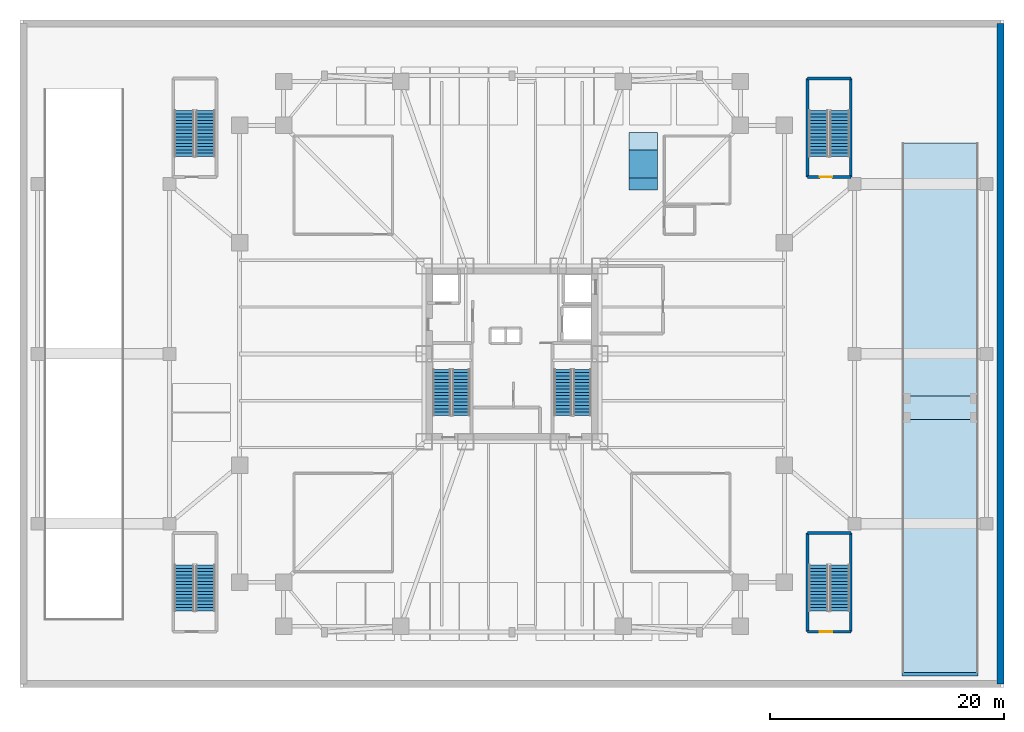
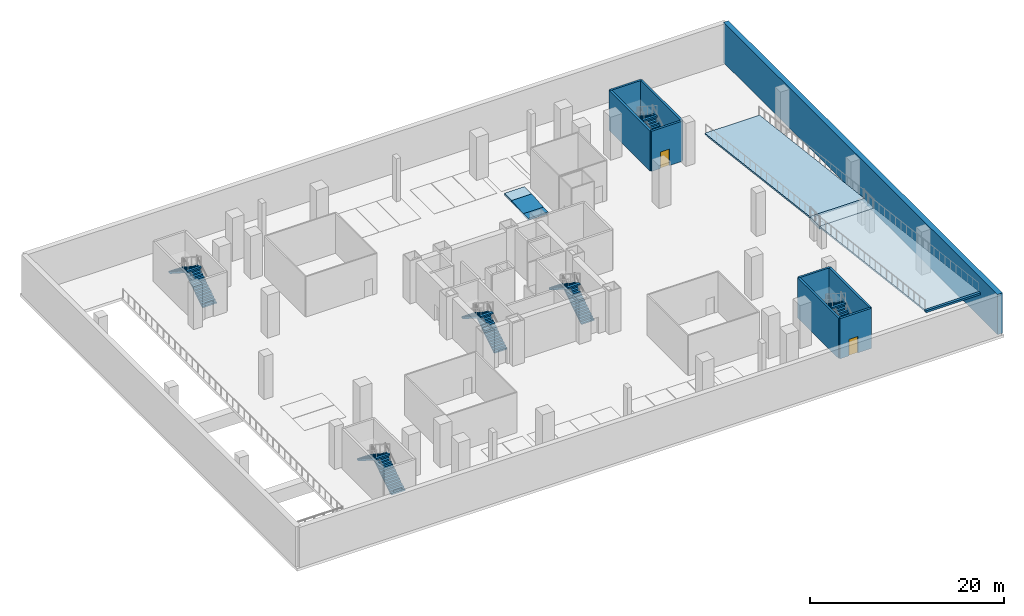
# One storey, part 7 of 14: 12 stair flights, 9 walls, 4 slabs, 2 doors, 2 ramps, 1 ramp flight, 2 openings, 6 elements without a shape of their own.
"""IFC4 building model written with IfcOpenShell, lengths in metres."""

from ifc_helpers import new_model, si_unit, direction, frame, frame_2d, origin, origin_2d, place, context, subcontext, project, spatial, polyline, rectangle, outline, extrude, material, layer, layer_set, type_object, element, fill, aggregate, save


model = new_model("IFC4")

# Units and contexts
model_context = context("Model", 3, precision=1e-05, world=origin(), true_north=direction((0.0, 1.0)))
body_context = subcontext(model_context, "Body", "Model", "MODEL_VIEW")
ifc_project = project(units=[si_unit("LENGTHUNIT", "METRE"), si_unit("AREAUNIT", "SQUARE_METRE"), si_unit("VOLUMEUNIT", "CUBIC_METRE"), si_unit("PLANEANGLEUNIT", "RADIAN"), si_unit("MASSUNIT", "GRAM", prefix="KILO")], contexts=[model_context])

# Slab
ifc_material_1 = material(Name="Concrete C40/50", Category="concrete")
ifc_layer_1 = layer(ifc_material_1, 0.300048828125, Name="Concrete C40/50")
ifc_layer_set_1 = layer_set([ifc_layer_1], Name="Concrete C40/50")
slab_type_1 = type_object("IfcSlabType", Name="SLB-RAMP-LAND", PredefinedType="LANDING", material=ifc_layer_set_1)
site_placement = place(None, origin())
building_placement = place(site_placement, origin())
storey_placement = place(building_placement, frame((0.0, 0.0, -5.39990234375)))
slab_1_placement = place(storey_placement, frame((0.0, 0.0, 2.369873046875)))
slab_1 = element("IfcSlab", 1, at=slab_1_placement, type_object=slab_type_1, Name="Car park vehicle ramp RM01 B1 intermediate landing", PredefinedType="LANDING", context=body_context, shape_type="SweptSolid", body=[
    extrude(outline(polyline([(33.300048828125, -5.60009765625), (39.800048828125, -5.60009765625), (39.800048828125, -3.60009765625), (33.300048828125, -3.60009765625), (33.300048828125, -5.60009765625)])), origin(), (0.0, 0.0, 1.0), 0.400146484375),
])

slab_2_placement = place(storey_placement, origin())
slab_2 = element("IfcSlab", 2, at=slab_2_placement, type_object=slab_type_1, Name="Accessible concourse ramp RMP-B1-PED-4 upper landing pad", PredefinedType="LANDING", context=body_context, shape_type="SweptSolid", body=[
    extrude(outline(polyline([(10.0, 17.39990234375), (12.39990234375, 17.39990234375), (12.39990234375, 18.89990234375), (10.0, 18.89990234375), (10.0, 17.39990234375)])), origin(), (0.0, 0.0, 1.0), 0.199951171875),
])

ifc_layer_2 = layer(ifc_material_1, 0.199951171875, Name="Concrete C40/50")
ifc_layer_set_2 = layer_set([ifc_layer_2], Name="Concrete C40/50")
slab_type_2 = type_object("IfcSlabType", Name="SLB-VEH-RAMP", PredefinedType="FLOOR", material=ifc_layer_set_2)
slab_3_placement = place(storey_placement, frame((39.800048828125, 18.0, 0.139892578125), z_axis=(0.0, 0.120871823233, 0.992668122964), x_axis=(-1.0, 0.0, 0.0)))
slab_3 = element("IfcSlab", 3, at=slab_3_placement, type_object=slab_type_2, Name="Car park vehicle ramp RM01 B1 lower structural slab (1:8.2)", PredefinedType="FLOOR", context=body_context, shape_type="SweptSolid", body=[
    extrude(outline(polyline([(0.0, 0.0), (6.5, 0.0), (6.5, 21.759636636421376), (0.0, 21.759636636421376), (0.0, 0.0)])), origin(), (0.0, 0.0, -1.0), 0.199951171875),
])

slab_4_placement = place(storey_placement, frame((39.800048828125, -5.60009765625, 2.77001953125), z_axis=(0.0, 0.120862113368, 0.992669305233), x_axis=(-1.0, 0.0, 0.0)))
slab_4 = element("IfcSlab", 4, at=slab_4_placement, type_object=slab_type_2, Name="Car park vehicle ramp RM01 B1 upper structural slab arriving L00 gate VG01 (1:8.2)", PredefinedType="FLOOR", context=body_context, shape_type="SweptSolid", body=[
    extrude(outline(polyline([(0.0, 0.0), (6.5, 0.0), (6.5, 21.759364777123906), (0.0, 21.759364777123906), (0.0, 0.0)])), origin(), (0.0, 0.0, -1.0), 0.199951171875),
])

# Site, building, storey
site = spatial("IfcSite", under=ifc_project, at=site_placement, CompositionType="ELEMENT")
building = spatial("IfcBuilding", under=site, at=building_placement, Name="Trevonay Congress Spire", CompositionType="ELEMENT")
storey = spatial("IfcBuildingStorey", under=building, at=storey_placement, Name="B1", CompositionType="ELEMENT", Elevation=-5.39990234375)

# Wall
ifc_material_2 = material(Name="Concrete C50/60", Category="concrete")
ifc_layer_3 = layer(ifc_material_2, 0.60009765625, Name="Concrete C50/60")
ifc_layer_set_3 = layer_set([ifc_layer_3], Name="Concrete C50/60")
wall_type_1 = type_object("IfcWallType", Name="WAL-RETAIN-600", PredefinedType="USERDEFINED", material=ifc_layer_set_3)
wall_1_placement = place(storey_placement, frame((41.699951171875, -28.199951171875, 0.0), z_axis=(0.0, 0.0, 1.0), x_axis=(0.0, 1.0, 0.0)))
element("IfcWall", 5, at=wall_1_placement, inside=storey, type_object=wall_type_1, Name="B1 E perimeter concrete diaphragm retaining wall", ObjectType="RETAININGWALL", PredefinedType="USERDEFINED", context=body_context, shape_type="SweptSolid", body=[
    extrude(rectangle(XDim=56.39990234375, YDim=0.60009765625, at=frame_2d((28.199951171875, 0.0))), origin(), (0.0, 0.0, 1.0), 5.0498046875),
])

# Wall, opening, door
ifc_layer_4 = layer(ifc_material_1, 0.25, Name="Concrete C40/50")
ifc_layer_set_4 = layer_set([ifc_layer_4], Name="Concrete C40/50")
wall_type_2 = type_object("IfcWallType", Name="WAL-SHAFT-LB-250", PredefinedType="SHEAR", material=ifc_layer_set_4)
wall_2_placement = place(storey_placement, frame((25.22998046875, -23.719970703125, 0.0), z_axis=(0.0, 0.0, 1.0), x_axis=(1.0, 0.0, 0.0)))
wall_2 = element("IfcWall", 6, at=wall_2_placement, inside=storey, type_object=wall_type_2, Name="B1 interior shaft wall WSH-B1-ST-4-S", PredefinedType="SHEAR", context=body_context, shape_type="SweptSolid", body=[
    extrude(rectangle(XDim=3.68994140625, YDim=0.25, at=frame_2d((1.844970703125, 0.0))), origin(), (0.0, 0.0, 1.0), 5.0498046875),
])
opening_1_placement = place(wall_2_placement, frame((1.050048828125, 0.0, 0.0)))
opening_1 = element("IfcOpeningElement", 7, at=opening_1_placement, cuts=wall_2, Name="Opening D05", PredefinedType="OPENING", context=body_context, shape_type="SweptSolid", body=[
    extrude(rectangle(XDim=1.050048828125, YDim=2.080078125, at=frame_2d((0.52490234375, 1.0400390625))), frame((0.0, 0.135009765625, 0.0), z_axis=(0.0, -1.0, 0.0), x_axis=(1.0, 0.0, 0.0)), (0.0, 0.0, 1.0), 0.27001953125),
])
ifc_material_3 = material(Name="Steel ASTM A572 Grade 50", Category="steel")
door_type = type_object("IfcDoorType", Name="DOR-STAIR-110", OperationType="NOTDEFINED", PredefinedType="DOOR", material=ifc_material_3)
door_1_placement = place(opening_1_placement, origin())
door_1 = element("IfcDoor", 8, at=door_1_placement, inside=storey, type_object=door_type, Name="B1 Escape Stair ST-4 Door", OperationType="SINGLE_SWING_LEFT", OverallHeight=2.080078125, OverallWidth=1.050048828125, PredefinedType="DOOR", context=body_context, shape_type="SweptSolid", body=[
    extrude(rectangle(XDim=1.050048828125, YDim=2.080078125, at=frame_2d((0.52490234375, 1.0400390625))), frame((0.0, 0.02490234375, 0.0), z_axis=(0.0, -1.0, 0.0), x_axis=(1.0, 0.0, 0.0)), (0.0, 0.0, 1.0), 0.050048828125),
])
fill(opening_1, door_1)

# Walls
wall_3_placement = place(storey_placement, frame((25.22998046875, -15.280029296875, 0.0), z_axis=(0.0, 0.0, 1.0), x_axis=(1.0, 0.0, 0.0)))
element("IfcWall", 9, at=wall_3_placement, inside=storey, type_object=wall_type_2, Name="B1 interior shaft wall WSH-B1-ST-4-N", PredefinedType="SHEAR", context=body_context, shape_type="SweptSolid", body=[
    extrude(rectangle(XDim=3.68994140625, YDim=0.25, at=frame_2d((1.844970703125, 0.0))), origin(), (0.0, 0.0, 1.0), 5.0498046875),
])
for number, where, z_axis, x_axis, name in (
    (10, (25.22998046875, -23.719970703125, 0.0), (0.0, 0.0, 1.0), (0.0, 1.0, 0.0), "B1 interior shaft wall WSH-B1-ST-4-W"),
    (11, (28.919921875, -23.719970703125, 0.0), (0.0, 0.0, 1.0), (0.0, 1.0, 0.0), "B1 interior shaft wall WSH-B1-ST-4-E"),
):
    element("IfcWall", number, at=place(storey_placement, frame(where, z_axis=z_axis, x_axis=x_axis)), inside=storey, type_object=wall_type_2, Name=name, PredefinedType="SHEAR", context=body_context, shape_type="SweptSolid", body=[
        extrude(rectangle(XDim=8.43994140625, YDim=0.25, at=frame_2d((4.219970703125, 0.0))), origin(), (0.0, 0.0, 1.0), 5.0498046875),
    ])

# Wall, opening, door
wall_4_placement = place(storey_placement, frame((25.22998046875, 15.080078125, 0.0), z_axis=(0.0, 0.0, 1.0), x_axis=(1.0, 0.0, 0.0)))
wall_4 = element("IfcWall", 12, at=wall_4_placement, inside=storey, type_object=wall_type_2, Name="B1 interior shaft wall WSH-B1-ST-6-S", PredefinedType="SHEAR", context=body_context, shape_type="SweptSolid", body=[
    extrude(rectangle(XDim=3.68994140625, YDim=0.25, at=frame_2d((1.844970703125, 0.0))), origin(), (0.0, 0.0, 1.0), 5.0498046875),
])
opening_2_placement = place(wall_4_placement, frame((1.050048828125, 0.0, 0.0)))
opening_2 = element("IfcOpeningElement", 13, at=opening_2_placement, cuts=wall_4, Name="Opening D05", PredefinedType="OPENING", context=body_context, shape_type="SweptSolid", body=[
    extrude(rectangle(XDim=1.050048828125, YDim=2.080078125, at=frame_2d((0.52490234375, 1.0400390625))), frame((0.0, 0.135009765625, 0.0), z_axis=(0.0, -1.0, 0.0), x_axis=(1.0, 0.0, 0.0)), (0.0, 0.0, 1.0), 0.27001953125),
])
door_2_placement = place(opening_2_placement, origin())
door_2 = element("IfcDoor", 14, at=door_2_placement, inside=storey, type_object=door_type, Name="B1 Escape Stair ST-6 Door", OperationType="SINGLE_SWING_LEFT", OverallHeight=2.080078125, OverallWidth=1.050048828125, PredefinedType="DOOR", context=body_context, shape_type="SweptSolid", body=[
    extrude(rectangle(XDim=1.050048828125, YDim=2.080078125, at=frame_2d((0.52490234375, 1.0400390625))), frame((0.0, 0.02490234375, 0.0), z_axis=(0.0, -1.0, 0.0), x_axis=(1.0, 0.0, 0.0)), (0.0, 0.0, 1.0), 0.050048828125),
])
fill(opening_2, door_2)

# Walls
wall_5_placement = place(storey_placement, frame((25.22998046875, 23.52001953125, 0.0), z_axis=(0.0, 0.0, 1.0), x_axis=(1.0, 0.0, 0.0)))
element("IfcWall", 15, at=wall_5_placement, inside=storey, type_object=wall_type_2, Name="B1 interior shaft wall WSH-B1-ST-6-N", PredefinedType="SHEAR", context=body_context, shape_type="SweptSolid", body=[
    extrude(rectangle(XDim=3.68994140625, YDim=0.25, at=frame_2d((1.844970703125, 0.0))), origin(), (0.0, 0.0, 1.0), 5.0498046875),
])
for number, where, z_axis, x_axis, name in (
    (16, (25.22998046875, 15.080078125, 0.0), (0.0, 0.0, 1.0), (0.0, 1.0, 0.0), "B1 interior shaft wall WSH-B1-ST-6-W"),
    (17, (28.919921875, 15.080078125, 0.0), (0.0, 0.0, 1.0), (0.0, 1.0, 0.0), "B1 interior shaft wall WSH-B1-ST-6-E"),
):
    element("IfcWall", number, at=place(storey_placement, frame(where, z_axis=z_axis, x_axis=x_axis)), inside=storey, type_object=wall_type_2, Name=name, PredefinedType="SHEAR", context=body_context, shape_type="SweptSolid", body=[
        extrude(rectangle(XDim=8.43994140625, YDim=0.25, at=frame_2d((4.219970703125, 0.0))), origin(), (0.0, 0.0, 1.0), 5.0498046875),
    ])

# Stair, stair flights
stair_type_1 = type_object("IfcStairType", Name="STR-ST-1", PredefinedType="HALF_TURN_STAIR", material=ifc_material_1)
stair_1_placement = place(storey_placement, origin())
stair_1 = element("IfcStair", 18, at=stair_1_placement, inside=storey, type_object=stair_type_1, Name="B1 Protected Exit Stair ST-1", PredefinedType="HALF_TURN_STAIR")
stair_flight_type_1 = type_object("IfcStairFlightType", Name="SFL-ST-1", PredefinedType="STRAIGHT", material=ifc_material_1)
stair_flight_1_placement = place(storey_placement, frame((-4.35009765625, -5.25, 0.0), z_axis=(0.0, 0.0, 1.0), x_axis=(0.0, 1.0, 0.0)))
stair_flight_1 = element("IfcStairFlight", 19, at=stair_flight_1_placement, type_object=stair_flight_type_1, Name="ST-1 flight 1", NumberOfRisers=15, NumberOfTreads=14, PredefinedType="STRAIGHT", RiserHeight=0.18, TreadLength=0.28, context=body_context, shape_type="SweptSolid", body=[
    extrude(outline(polyline([(0.0, 0.0), (0.0, 0.179931640625), (0.280029296875, 0.179931640625), (0.280029296875, 0.360107421875), (0.56005859375, 0.360107421875), (0.56005859375, 0.5400390625), (0.840087890625, 0.5400390625), (0.840087890625, 0.719970703125), (1.1201171875, 0.719970703125), (1.1201171875, 0.89990234375), (1.39990234375, 0.89990234375), (1.39990234375, 1.080078125), (1.679931640625, 1.080078125), (1.679931640625, 1.260009765625), (1.9599609375, 1.260009765625), (1.9599609375, 1.43994140625), (2.239990234375, 1.43994140625), (2.239990234375, 1.6201171875), (2.52001953125, 1.6201171875), (2.52001953125, 1.800048828125), (2.800048828125, 1.800048828125), (2.800048828125, 1.97998046875), (3.080078125, 1.97998046875), (3.080078125, 2.159912109375), (3.360107421875, 2.159912109375), (3.360107421875, 2.340087890625), (3.639892578125, 2.340087890625), (3.639892578125, 2.52001953125), (3.919921875, 2.52001953125), (3.919921875, 2.699951171875), (3.919921875, 2.341796875), (0.277099609375, 0.0), (0.0, 0.0)])), frame((0.0, 0.75, 0.0), z_axis=(0.0, -1.0, 0.0), x_axis=(1.0, 0.0, 0.0)), (0.0, 0.0, 1.0), 1.5),
])
stair_flight_2_placement = place(storey_placement, frame((-6.0, -1.330078125, 2.699951171875), z_axis=(0.0, 0.0, 1.0), x_axis=(0.0, -1.0, 0.0)))
stair_flight_2 = element("IfcStairFlight", 20, at=stair_flight_2_placement, type_object=stair_flight_type_1, Name="ST-1 flight 2", NumberOfRisers=15, NumberOfTreads=14, PredefinedType="STRAIGHT", RiserHeight=0.18, TreadLength=0.28, context=body_context, shape_type="SweptSolid", body=[
    extrude(outline(polyline([(0.0, 0.0), (0.0, 0.179931640625), (0.280029296875, 0.179931640625), (0.280029296875, 0.360107421875), (0.56005859375, 0.360107421875), (0.56005859375, 0.5400390625), (0.840087890625, 0.5400390625), (0.840087890625, 0.719970703125), (1.1201171875, 0.719970703125), (1.1201171875, 0.89990234375), (1.39990234375, 0.89990234375), (1.39990234375, 1.080078125), (1.679931640625, 1.080078125), (1.679931640625, 1.260009765625), (1.9599609375, 1.260009765625), (1.9599609375, 1.43994140625), (2.239990234375, 1.43994140625), (2.239990234375, 1.6201171875), (2.52001953125, 1.6201171875), (2.52001953125, 1.800048828125), (2.800048828125, 1.800048828125), (2.800048828125, 1.97998046875), (3.080078125, 1.97998046875), (3.080078125, 2.159912109375), (3.360107421875, 2.159912109375), (3.360107421875, 2.340087890625), (3.639892578125, 2.340087890625), (3.639892578125, 2.52001953125), (3.919921875, 2.52001953125), (3.919921875, 2.699951171875), (3.919921875, 2.341796875), (0.277099609375, 0.0), (0.0, 0.0)])), frame((0.0, 0.75, 0.0), z_axis=(0.0, -1.0, 0.0), x_axis=(1.0, 0.0, 0.0)), (0.0, 0.0, 1.0), 1.5),
])
aggregate(stair_1, [stair_flight_1, stair_flight_2])

stair_type_2 = type_object("IfcStairType", Name="STR-ST-2", PredefinedType="HALF_TURN_STAIR", material=ifc_material_1)
stair_2_placement = place(storey_placement, origin())
stair_2 = element("IfcStair", 21, at=stair_2_placement, inside=storey, type_object=stair_type_2, Name="B1 Protected Exit Stair ST-2", PredefinedType="HALF_TURN_STAIR")
stair_flight_type_2 = type_object("IfcStairFlightType", Name="SFL-ST-2", PredefinedType="STRAIGHT", material=ifc_material_1)
stair_flight_3_placement = place(storey_placement, frame((6.0, -5.25, 0.0), z_axis=(0.0, 0.0, 1.0), x_axis=(0.0, 1.0, 0.0)))
stair_flight_3 = element("IfcStairFlight", 22, at=stair_flight_3_placement, type_object=stair_flight_type_2, Name="ST-2 flight 1", NumberOfRisers=15, NumberOfTreads=14, PredefinedType="STRAIGHT", RiserHeight=0.18, TreadLength=0.28, context=body_context, shape_type="SweptSolid", body=[
    extrude(outline(polyline([(0.0, 0.0), (0.0, 0.179931640625), (0.280029296875, 0.179931640625), (0.280029296875, 0.360107421875), (0.56005859375, 0.360107421875), (0.56005859375, 0.5400390625), (0.840087890625, 0.5400390625), (0.840087890625, 0.719970703125), (1.1201171875, 0.719970703125), (1.1201171875, 0.89990234375), (1.39990234375, 0.89990234375), (1.39990234375, 1.080078125), (1.679931640625, 1.080078125), (1.679931640625, 1.260009765625), (1.9599609375, 1.260009765625), (1.9599609375, 1.43994140625), (2.239990234375, 1.43994140625), (2.239990234375, 1.6201171875), (2.52001953125, 1.6201171875), (2.52001953125, 1.800048828125), (2.800048828125, 1.800048828125), (2.800048828125, 1.97998046875), (3.080078125, 1.97998046875), (3.080078125, 2.159912109375), (3.360107421875, 2.159912109375), (3.360107421875, 2.340087890625), (3.639892578125, 2.340087890625), (3.639892578125, 2.52001953125), (3.919921875, 2.52001953125), (3.919921875, 2.699951171875), (3.919921875, 2.341796875), (0.277099609375, 0.0), (0.0, 0.0)])), frame((0.0, 0.75, 0.0), z_axis=(0.0, -1.0, 0.0), x_axis=(1.0, 0.0, 0.0)), (0.0, 0.0, 1.0), 1.5),
])
stair_flight_4_placement = place(storey_placement, frame((4.35009765625, -1.330078125, 2.699951171875), z_axis=(0.0, 0.0, 1.0), x_axis=(0.0, -1.0, 0.0)))
stair_flight_4 = element("IfcStairFlight", 23, at=stair_flight_4_placement, type_object=stair_flight_type_2, Name="ST-2 flight 2", NumberOfRisers=15, NumberOfTreads=14, PredefinedType="STRAIGHT", RiserHeight=0.18, TreadLength=0.28, context=body_context, shape_type="SweptSolid", body=[
    extrude(outline(polyline([(0.0, 0.0), (0.0, 0.179931640625), (0.280029296875, 0.179931640625), (0.280029296875, 0.360107421875), (0.56005859375, 0.360107421875), (0.56005859375, 0.5400390625), (0.840087890625, 0.5400390625), (0.840087890625, 0.719970703125), (1.1201171875, 0.719970703125), (1.1201171875, 0.89990234375), (1.39990234375, 0.89990234375), (1.39990234375, 1.080078125), (1.679931640625, 1.080078125), (1.679931640625, 1.260009765625), (1.9599609375, 1.260009765625), (1.9599609375, 1.43994140625), (2.239990234375, 1.43994140625), (2.239990234375, 1.6201171875), (2.52001953125, 1.6201171875), (2.52001953125, 1.800048828125), (2.800048828125, 1.800048828125), (2.800048828125, 1.97998046875), (3.080078125, 1.97998046875), (3.080078125, 2.159912109375), (3.360107421875, 2.159912109375), (3.360107421875, 2.340087890625), (3.639892578125, 2.340087890625), (3.639892578125, 2.52001953125), (3.919921875, 2.52001953125), (3.919921875, 2.699951171875), (3.919921875, 2.341796875), (0.277099609375, 0.0), (0.0, 0.0)])), frame((0.0, 0.75, 0.0), z_axis=(0.0, -1.0, 0.0), x_axis=(1.0, 0.0, 0.0)), (0.0, 0.0, 1.0), 1.5),
])
aggregate(stair_2, [stair_flight_3, stair_flight_4])

stair_type_3 = type_object("IfcStairType", Name="STR-ST-3", PredefinedType="HALF_TURN_STAIR", material=ifc_material_1)
stair_3_placement = place(storey_placement, origin())
stair_3 = element("IfcStair", 24, at=stair_3_placement, inside=storey, type_object=stair_type_3, Name="B1 Protected Exit Stair ST-3", PredefinedType="HALF_TURN_STAIR")
stair_flight_type_3 = type_object("IfcStairFlightType", Name="SFL-ST-3", PredefinedType="STRAIGHT", material=ifc_material_1)
stair_flight_5_placement = place(storey_placement, frame((-26.175048828125, -21.949951171875, 0.0), z_axis=(0.0, 0.0, 1.0), x_axis=(0.0, 1.0, 0.0)))
stair_flight_5 = element("IfcStairFlight", 25, at=stair_flight_5_placement, type_object=stair_flight_type_3, Name="ST-3 flight 1", NumberOfRisers=15, NumberOfTreads=14, PredefinedType="STRAIGHT", RiserHeight=0.18, TreadLength=0.28, context=body_context, shape_type="SweptSolid", body=[
    extrude(outline(polyline([(0.0, 0.0), (0.0, 0.179931640625), (0.280029296875, 0.179931640625), (0.280029296875, 0.360107421875), (0.56005859375, 0.360107421875), (0.56005859375, 0.5400390625), (0.840087890625, 0.5400390625), (0.840087890625, 0.719970703125), (1.1201171875, 0.719970703125), (1.1201171875, 0.89990234375), (1.39990234375, 0.89990234375), (1.39990234375, 1.080078125), (1.679931640625, 1.080078125), (1.679931640625, 1.260009765625), (1.9599609375, 1.260009765625), (1.9599609375, 1.43994140625), (2.239990234375, 1.43994140625), (2.239990234375, 1.6201171875), (2.52001953125, 1.6201171875), (2.52001953125, 1.800048828125), (2.800048828125, 1.800048828125), (2.800048828125, 1.97998046875), (3.080078125, 1.97998046875), (3.080078125, 2.159912109375), (3.360107421875, 2.159912109375), (3.360107421875, 2.340087890625), (3.639892578125, 2.340087890625), (3.639892578125, 2.52001953125), (3.919921875, 2.52001953125), (3.919921875, 2.699951171875), (3.919921875, 2.341796875), (0.277099609375, 0.0), (0.0, 0.0)])), frame((0.0, 0.824951171875, 0.0), z_axis=(0.0, -1.0, 0.0), x_axis=(1.0, 0.0, 0.0)), (0.0, 0.0, 1.0), 1.64990234375),
])
stair_flight_6_placement = place(storey_placement, frame((-27.97509765625, -18.030029296875, 2.699951171875), z_axis=(0.0, 0.0, 1.0), x_axis=(0.0, -1.0, 0.0)))
stair_flight_6 = element("IfcStairFlight", 26, at=stair_flight_6_placement, type_object=stair_flight_type_3, Name="ST-3 flight 2", NumberOfRisers=15, NumberOfTreads=14, PredefinedType="STRAIGHT", RiserHeight=0.18, TreadLength=0.28, context=body_context, shape_type="SweptSolid", body=[
    extrude(outline(polyline([(0.0, 0.0), (0.0, 0.179931640625), (0.280029296875, 0.179931640625), (0.280029296875, 0.360107421875), (0.56005859375, 0.360107421875), (0.56005859375, 0.5400390625), (0.840087890625, 0.5400390625), (0.840087890625, 0.719970703125), (1.1201171875, 0.719970703125), (1.1201171875, 0.89990234375), (1.39990234375, 0.89990234375), (1.39990234375, 1.080078125), (1.679931640625, 1.080078125), (1.679931640625, 1.260009765625), (1.9599609375, 1.260009765625), (1.9599609375, 1.43994140625), (2.239990234375, 1.43994140625), (2.239990234375, 1.6201171875), (2.52001953125, 1.6201171875), (2.52001953125, 1.800048828125), (2.800048828125, 1.800048828125), (2.800048828125, 1.97998046875), (3.080078125, 1.97998046875), (3.080078125, 2.159912109375), (3.360107421875, 2.159912109375), (3.360107421875, 2.340087890625), (3.639892578125, 2.340087890625), (3.639892578125, 2.52001953125), (3.919921875, 2.52001953125), (3.919921875, 2.699951171875), (3.919921875, 2.341796875), (0.277099609375, 0.0), (0.0, 0.0)])), frame((0.0, 0.824951171875, 0.0), z_axis=(0.0, -1.0, 0.0), x_axis=(1.0, 0.0, 0.0)), (0.0, 0.0, 1.0), 1.64990234375),
])
aggregate(stair_3, [stair_flight_5, stair_flight_6])

stair_type_4 = type_object("IfcStairType", Name="STR-ST-4", PredefinedType="HALF_TURN_STAIR", material=ifc_material_1)
stair_4_placement = place(storey_placement, origin())
stair_4 = element("IfcStair", 27, at=stair_4_placement, inside=storey, type_object=stair_type_4, Name="B1 Protected Exit Stair ST-4", PredefinedType="HALF_TURN_STAIR")
stair_flight_type_4 = type_object("IfcStairFlightType", Name="SFL-ST-4", PredefinedType="STRAIGHT", material=ifc_material_1)
stair_flight_7_placement = place(storey_placement, frame((27.97509765625, -21.949951171875, 0.0), z_axis=(0.0, 0.0, 1.0), x_axis=(0.0, 1.0, 0.0)))
stair_flight_7 = element("IfcStairFlight", 28, at=stair_flight_7_placement, type_object=stair_flight_type_4, Name="ST-4 flight 1", NumberOfRisers=15, NumberOfTreads=14, PredefinedType="STRAIGHT", RiserHeight=0.18, TreadLength=0.28, context=body_context, shape_type="SweptSolid", body=[
    extrude(outline(polyline([(0.0, 0.0), (0.0, 0.179931640625), (0.280029296875, 0.179931640625), (0.280029296875, 0.360107421875), (0.56005859375, 0.360107421875), (0.56005859375, 0.5400390625), (0.840087890625, 0.5400390625), (0.840087890625, 0.719970703125), (1.1201171875, 0.719970703125), (1.1201171875, 0.89990234375), (1.39990234375, 0.89990234375), (1.39990234375, 1.080078125), (1.679931640625, 1.080078125), (1.679931640625, 1.260009765625), (1.9599609375, 1.260009765625), (1.9599609375, 1.43994140625), (2.239990234375, 1.43994140625), (2.239990234375, 1.6201171875), (2.52001953125, 1.6201171875), (2.52001953125, 1.800048828125), (2.800048828125, 1.800048828125), (2.800048828125, 1.97998046875), (3.080078125, 1.97998046875), (3.080078125, 2.159912109375), (3.360107421875, 2.159912109375), (3.360107421875, 2.340087890625), (3.639892578125, 2.340087890625), (3.639892578125, 2.52001953125), (3.919921875, 2.52001953125), (3.919921875, 2.699951171875), (3.919921875, 2.341796875), (0.277099609375, 0.0), (0.0, 0.0)])), frame((0.0, 0.824951171875, 0.0), z_axis=(0.0, -1.0, 0.0), x_axis=(1.0, 0.0, 0.0)), (0.0, 0.0, 1.0), 1.64990234375),
])
stair_flight_8_placement = place(storey_placement, frame((26.175048828125, -18.030029296875, 2.699951171875), z_axis=(0.0, 0.0, 1.0), x_axis=(0.0, -1.0, 0.0)))
stair_flight_8 = element("IfcStairFlight", 29, at=stair_flight_8_placement, type_object=stair_flight_type_4, Name="ST-4 flight 2", NumberOfRisers=15, NumberOfTreads=14, PredefinedType="STRAIGHT", RiserHeight=0.18, TreadLength=0.28, context=body_context, shape_type="SweptSolid", body=[
    extrude(outline(polyline([(0.0, 0.0), (0.0, 0.179931640625), (0.280029296875, 0.179931640625), (0.280029296875, 0.360107421875), (0.56005859375, 0.360107421875), (0.56005859375, 0.5400390625), (0.840087890625, 0.5400390625), (0.840087890625, 0.719970703125), (1.1201171875, 0.719970703125), (1.1201171875, 0.89990234375), (1.39990234375, 0.89990234375), (1.39990234375, 1.080078125), (1.679931640625, 1.080078125), (1.679931640625, 1.260009765625), (1.9599609375, 1.260009765625), (1.9599609375, 1.43994140625), (2.239990234375, 1.43994140625), (2.239990234375, 1.6201171875), (2.52001953125, 1.6201171875), (2.52001953125, 1.800048828125), (2.800048828125, 1.800048828125), (2.800048828125, 1.97998046875), (3.080078125, 1.97998046875), (3.080078125, 2.159912109375), (3.360107421875, 2.159912109375), (3.360107421875, 2.340087890625), (3.639892578125, 2.340087890625), (3.639892578125, 2.52001953125), (3.919921875, 2.52001953125), (3.919921875, 2.699951171875), (3.919921875, 2.341796875), (0.277099609375, 0.0), (0.0, 0.0)])), frame((0.0, 0.824951171875, 0.0), z_axis=(0.0, -1.0, 0.0), x_axis=(1.0, 0.0, 0.0)), (0.0, 0.0, 1.0), 1.64990234375),
])
aggregate(stair_4, [stair_flight_7, stair_flight_8])

stair_type_5 = type_object("IfcStairType", Name="STR-ST-5", PredefinedType="HALF_TURN_STAIR", material=ifc_material_1)
stair_5_placement = place(storey_placement, origin())
stair_5 = element("IfcStair", 30, at=stair_5_placement, inside=storey, type_object=stair_type_5, Name="B1 Protected Exit Stair ST-5", PredefinedType="HALF_TURN_STAIR")
stair_flight_type_5 = type_object("IfcStairFlightType", Name="SFL-ST-5", PredefinedType="STRAIGHT", material=ifc_material_1)
stair_flight_9_placement = place(storey_placement, frame((-26.175048828125, 16.85009765625, 0.0), z_axis=(0.0, 0.0, 1.0), x_axis=(0.0, 1.0, 0.0)))
stair_flight_9 = element("IfcStairFlight", 31, at=stair_flight_9_placement, type_object=stair_flight_type_5, Name="ST-5 flight 1", NumberOfRisers=15, NumberOfTreads=14, PredefinedType="STRAIGHT", RiserHeight=0.18, TreadLength=0.28, context=body_context, shape_type="SweptSolid", body=[
    extrude(outline(polyline([(0.0, 0.0), (0.0, 0.179931640625), (0.280029296875, 0.179931640625), (0.280029296875, 0.360107421875), (0.56005859375, 0.360107421875), (0.56005859375, 0.5400390625), (0.840087890625, 0.5400390625), (0.840087890625, 0.719970703125), (1.1201171875, 0.719970703125), (1.1201171875, 0.89990234375), (1.39990234375, 0.89990234375), (1.39990234375, 1.080078125), (1.679931640625, 1.080078125), (1.679931640625, 1.260009765625), (1.9599609375, 1.260009765625), (1.9599609375, 1.43994140625), (2.239990234375, 1.43994140625), (2.239990234375, 1.6201171875), (2.52001953125, 1.6201171875), (2.52001953125, 1.800048828125), (2.800048828125, 1.800048828125), (2.800048828125, 1.97998046875), (3.080078125, 1.97998046875), (3.080078125, 2.159912109375), (3.360107421875, 2.159912109375), (3.360107421875, 2.340087890625), (3.639892578125, 2.340087890625), (3.639892578125, 2.52001953125), (3.919921875, 2.52001953125), (3.919921875, 2.699951171875), (3.919921875, 2.341796875), (0.277099609375, 0.0), (0.0, 0.0)])), frame((0.0, 0.824951171875, 0.0), z_axis=(0.0, -1.0, 0.0), x_axis=(1.0, 0.0, 0.0)), (0.0, 0.0, 1.0), 1.64990234375),
])
stair_flight_10_placement = place(storey_placement, frame((-27.97509765625, 20.77001953125, 2.699951171875), z_axis=(0.0, 0.0, 1.0), x_axis=(0.0, -1.0, 0.0)))
stair_flight_10 = element("IfcStairFlight", 32, at=stair_flight_10_placement, type_object=stair_flight_type_5, Name="ST-5 flight 2", NumberOfRisers=15, NumberOfTreads=14, PredefinedType="STRAIGHT", RiserHeight=0.18, TreadLength=0.28, context=body_context, shape_type="SweptSolid", body=[
    extrude(outline(polyline([(0.0, 0.0), (0.0, 0.179931640625), (0.280029296875, 0.179931640625), (0.280029296875, 0.360107421875), (0.56005859375, 0.360107421875), (0.56005859375, 0.5400390625), (0.840087890625, 0.5400390625), (0.840087890625, 0.719970703125), (1.1201171875, 0.719970703125), (1.1201171875, 0.89990234375), (1.39990234375, 0.89990234375), (1.39990234375, 1.080078125), (1.679931640625, 1.080078125), (1.679931640625, 1.260009765625), (1.9599609375, 1.260009765625), (1.9599609375, 1.43994140625), (2.239990234375, 1.43994140625), (2.239990234375, 1.6201171875), (2.52001953125, 1.6201171875), (2.52001953125, 1.800048828125), (2.800048828125, 1.800048828125), (2.800048828125, 1.97998046875), (3.080078125, 1.97998046875), (3.080078125, 2.159912109375), (3.360107421875, 2.159912109375), (3.360107421875, 2.340087890625), (3.639892578125, 2.340087890625), (3.639892578125, 2.52001953125), (3.919921875, 2.52001953125), (3.919921875, 2.699951171875), (3.919921875, 2.341796875), (0.277099609375, 0.0), (0.0, 0.0)])), frame((0.0, 0.824951171875, 0.0), z_axis=(0.0, -1.0, 0.0), x_axis=(1.0, 0.0, 0.0)), (0.0, 0.0, 1.0), 1.64990234375),
])
aggregate(stair_5, [stair_flight_9, stair_flight_10])

stair_type_6 = type_object("IfcStairType", Name="STR-ST-6", PredefinedType="HALF_TURN_STAIR", material=ifc_material_1)
stair_6_placement = place(storey_placement, origin())
stair_6 = element("IfcStair", 33, at=stair_6_placement, inside=storey, type_object=stair_type_6, Name="B1 Protected Exit Stair ST-6", PredefinedType="HALF_TURN_STAIR")
stair_flight_type_6 = type_object("IfcStairFlightType", Name="SFL-ST-6", PredefinedType="STRAIGHT", material=ifc_material_1)
stair_flight_11_placement = place(storey_placement, frame((27.97509765625, 16.85009765625, 0.0), z_axis=(0.0, 0.0, 1.0), x_axis=(0.0, 1.0, 0.0)))
stair_flight_11 = element("IfcStairFlight", 34, at=stair_flight_11_placement, type_object=stair_flight_type_6, Name="ST-6 flight 1", NumberOfRisers=15, NumberOfTreads=14, PredefinedType="STRAIGHT", RiserHeight=0.18, TreadLength=0.28, context=body_context, shape_type="SweptSolid", body=[
    extrude(outline(polyline([(0.0, 0.0), (0.0, 0.179931640625), (0.280029296875, 0.179931640625), (0.280029296875, 0.360107421875), (0.56005859375, 0.360107421875), (0.56005859375, 0.5400390625), (0.840087890625, 0.5400390625), (0.840087890625, 0.719970703125), (1.1201171875, 0.719970703125), (1.1201171875, 0.89990234375), (1.39990234375, 0.89990234375), (1.39990234375, 1.080078125), (1.679931640625, 1.080078125), (1.679931640625, 1.260009765625), (1.9599609375, 1.260009765625), (1.9599609375, 1.43994140625), (2.239990234375, 1.43994140625), (2.239990234375, 1.6201171875), (2.52001953125, 1.6201171875), (2.52001953125, 1.800048828125), (2.800048828125, 1.800048828125), (2.800048828125, 1.97998046875), (3.080078125, 1.97998046875), (3.080078125, 2.159912109375), (3.360107421875, 2.159912109375), (3.360107421875, 2.340087890625), (3.639892578125, 2.340087890625), (3.639892578125, 2.52001953125), (3.919921875, 2.52001953125), (3.919921875, 2.699951171875), (3.919921875, 2.341796875), (0.277099609375, 0.0), (0.0, 0.0)])), frame((0.0, 0.824951171875, 0.0), z_axis=(0.0, -1.0, 0.0), x_axis=(1.0, 0.0, 0.0)), (0.0, 0.0, 1.0), 1.64990234375),
])
stair_flight_12_placement = place(storey_placement, frame((26.175048828125, 20.77001953125, 2.699951171875), z_axis=(0.0, 0.0, 1.0), x_axis=(0.0, -1.0, 0.0)))
stair_flight_12 = element("IfcStairFlight", 35, at=stair_flight_12_placement, type_object=stair_flight_type_6, Name="ST-6 flight 2", NumberOfRisers=15, NumberOfTreads=14, PredefinedType="STRAIGHT", RiserHeight=0.18, TreadLength=0.28, context=body_context, shape_type="SweptSolid", body=[
    extrude(outline(polyline([(0.0, 0.0), (0.0, 0.179931640625), (0.280029296875, 0.179931640625), (0.280029296875, 0.360107421875), (0.56005859375, 0.360107421875), (0.56005859375, 0.5400390625), (0.840087890625, 0.5400390625), (0.840087890625, 0.719970703125), (1.1201171875, 0.719970703125), (1.1201171875, 0.89990234375), (1.39990234375, 0.89990234375), (1.39990234375, 1.080078125), (1.679931640625, 1.080078125), (1.679931640625, 1.260009765625), (1.9599609375, 1.260009765625), (1.9599609375, 1.43994140625), (2.239990234375, 1.43994140625), (2.239990234375, 1.6201171875), (2.52001953125, 1.6201171875), (2.52001953125, 1.800048828125), (2.800048828125, 1.800048828125), (2.800048828125, 1.97998046875), (3.080078125, 1.97998046875), (3.080078125, 2.159912109375), (3.360107421875, 2.159912109375), (3.360107421875, 2.340087890625), (3.639892578125, 2.340087890625), (3.639892578125, 2.52001953125), (3.919921875, 2.52001953125), (3.919921875, 2.699951171875), (3.919921875, 2.341796875), (0.277099609375, 0.0), (0.0, 0.0)])), frame((0.0, 0.824951171875, 0.0), z_axis=(0.0, -1.0, 0.0), x_axis=(1.0, 0.0, 0.0)), (0.0, 0.0, 1.0), 1.64990234375),
])
aggregate(stair_6, [stair_flight_11, stair_flight_12])

# Ramp flight
ifc_layer_5 = layer(ifc_material_1, 0.25, Name="Concrete C40/50")
ifc_layer_set_5 = layer_set([ifc_layer_5], Name="Concrete C40/50")
ramp_flight_type = type_object("IfcRampFlightType", Name="RFL-PED-250", PredefinedType="STRAIGHT", material=ifc_layer_set_5)
ramp_flight_placement = place(storey_placement, frame((10.0, 15.0, 0.0), z_axis=(0.0, -0.083028700011, 0.996547156423), x_axis=(1.0, 0.0, 0.0)))
ramp_flight = element("IfcRampFlight", 36, at=ramp_flight_placement, type_object=ramp_flight_type, Name="Accessible concourse ramp flight RMP-B1-PED-4 (1:12)", PredefinedType="STRAIGHT", context=body_context, shape_type="SweptSolid", body=[
    extrude(outline(polyline([(0.0, 0.0), (2.39990234375, 0.0), (2.39990234375, 2.408217542223071), (0.0, 2.408217542223071), (0.0, 0.0)])), origin(), (0.0, 0.0, -1.0), 0.199951171875),
])

# Ramp
ifc_layer_6 = layer(ifc_material_1, 0.25, Name="Concrete C40/50")
ifc_layer_set_6 = layer_set([ifc_layer_6], Name="Concrete C40/50")
ramp_type_1 = type_object("IfcRampType", Name="RMP-PED-ACCESS", PredefinedType="STRAIGHT_RUN_RAMP", material=ifc_layer_set_6)
ramp_1_placement = place(storey_placement, frame((11.199951171875, 14.5, -0.25), z_axis=(0.0, 0.0, 1.0), x_axis=(1.0, 0.0, 0.0)))
ramp_1 = element("IfcRamp", 37, at=ramp_1_placement, inside=storey, type_object=ramp_type_1, Name="Accessible concourse threshold ramp RMP-B1-PED-4 (1:12)", PredefinedType="STRAIGHT_RUN_RAMP", context=body_context, shape_type="SweptSolid", body=[
    extrude(rectangle(XDim=2.39990234375, YDim=1.0, at=origin_2d()), origin(), (0.0, 0.0, 1.0), 0.25),
])

aggregate(ramp_1, [slab_2, ramp_flight])

ifc_layer_7 = layer(ifc_material_1, 0.199951171875, Name="Concrete C40/50")
ifc_layer_set_7 = layer_set([ifc_layer_7], Name="Concrete C40/50")
ramp_type_2 = type_object("IfcRampType", Name="RMP-VEH-TWO-RUN", PredefinedType="TWO_STRAIGHT_RUN_RAMP", material=ifc_layer_set_7)
ramp_2_placement = place(storey_placement, frame((36.550048828125, -27.35009765625, 5.15966796875), z_axis=(0.0, 0.0, 1.0), x_axis=(1.0, 0.0, 0.0)))
ramp_2 = element("IfcRamp", 38, at=ramp_2_placement, inside=storey, type_object=ramp_type_2, Name="Basement car park two-way vehicle ramp RM01 (B1 to L00 street gate VG01)", PredefinedType="TWO_STRAIGHT_RUN_RAMP", context=body_context, shape_type="SweptSolid", body=[
    extrude(rectangle(XDim=6.5, YDim=0.300048828125, at=origin_2d()), origin(), (0.0, 0.0, 1.0), 0.239990234375),
])

aggregate(ramp_2, [slab_3, slab_1, slab_4])

save(model, "model.ifc")
